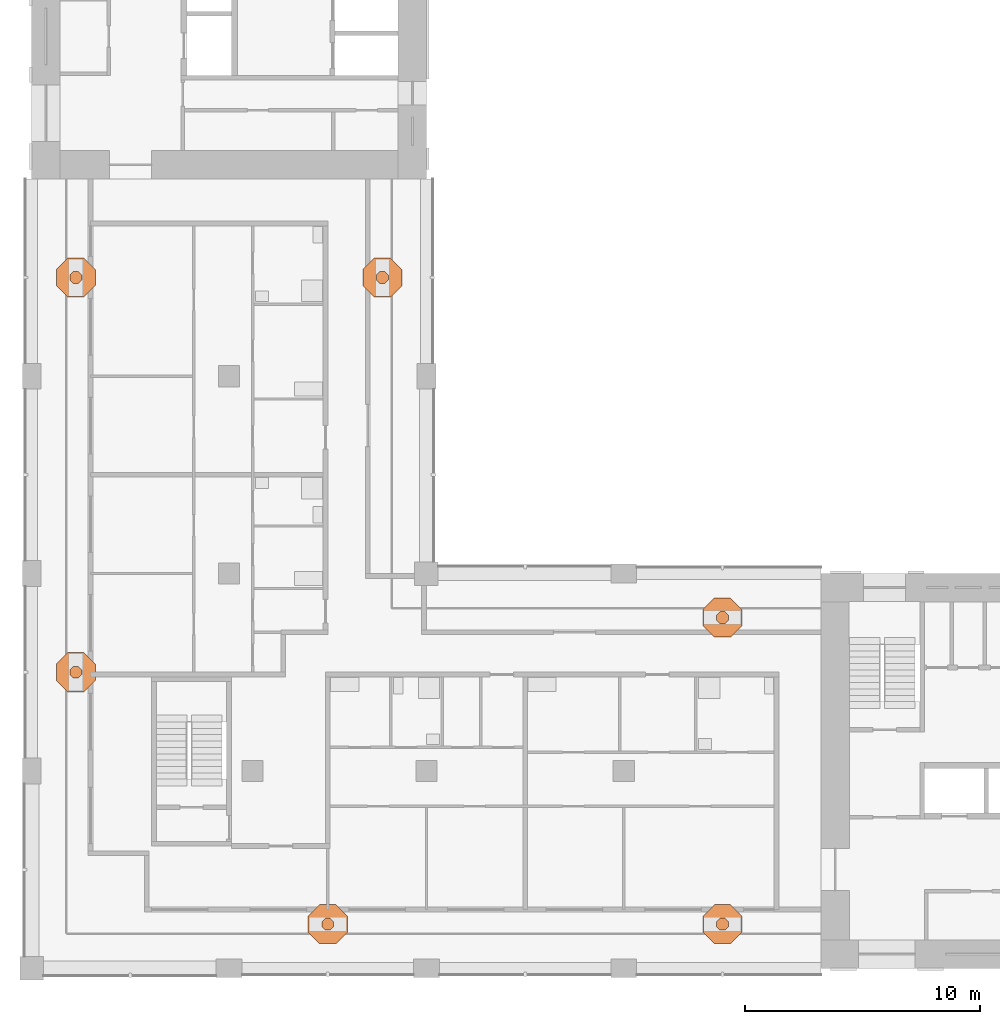
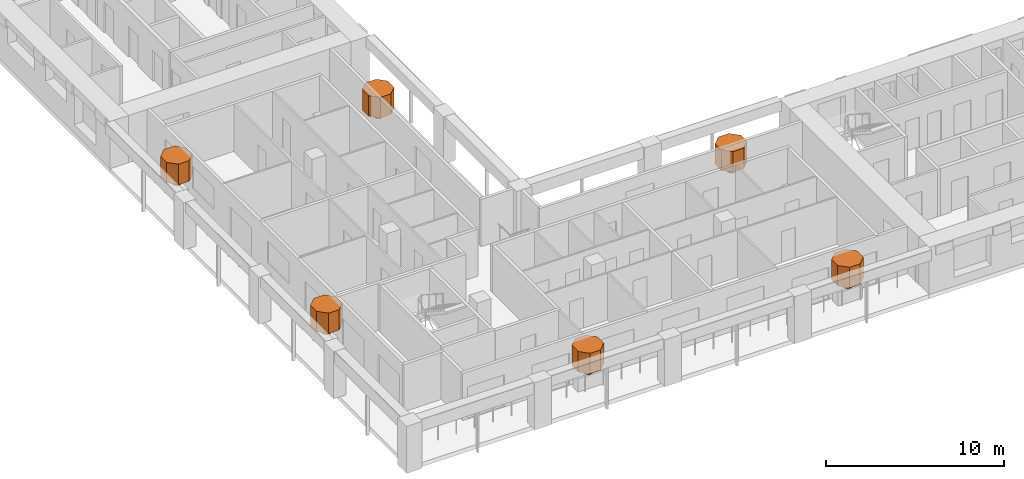
# One storey, part 12 of 12: 12 geographic elements.
"""IFC4 building model written with IfcOpenShell, lengths in metres."""

import ifcopenshell
import ifcopenshell.guid

model = None  # the IFC model being written
_history = None  # IfcOwnerHistory: only IFC2X3 demands one
_inside = {}  # id of a spatial element -> (the spatial element, [elements in it])
_under = {}  # id of a project, library or spatial element -> (it, [spatial elements below it])
_declared = {}  # id of a project -> (the project, [libraries it declares])
_typed = {}  # id of a type object -> (the type object, [elements of that type])
_made_of = {}  # id of a material, layer set ... -> (it, [elements and type objects made of it])


def new_model(schema):
    """Start an empty IFC model of exactly this schema.

    Asked for "IFC4X3", IfcOpenShell would pick the latest addendum, in which some entities
    have other attributes; the version numbers below select the first issue.
    IFC2X3 requires an IfcOwnerHistory on every rooted entity: one is made here for all.
    """
    global model, _history
    if schema == "IFC4X3":
        model = ifcopenshell.file(schema_version=(4, 3, 0, 0))
    else:
        model = ifcopenshell.file(schema=schema)
    _inside.clear()
    _under.clear()
    _declared.clear()
    _typed.clear()
    _made_of.clear()
    _history = None
    if model.schema == "IFC2X3":
        org = make("IfcOrganization", Name="unknown")
        user = make(
            "IfcPersonAndOrganization",
            ThePerson=make("IfcPerson", FamilyName="unknown"),
            TheOrganization=org,
        )
        app = make(
            "IfcApplication",
            ApplicationDeveloper=org,
            Version="unknown",
            ApplicationFullName="unknown",
            ApplicationIdentifier="unknown",
        )
        _history = make(
            "IfcOwnerHistory",
            OwningUser=user,
            OwningApplication=app,
            ChangeAction="ADDED",
            CreationDate=0,
        )
    return model


def make(cls, **values):
    """One entity of the class cls with the attributes given. An attribute that is None is left unset."""
    return model.create_entity(
        cls, **{name: value for name, value in values.items() if value is not None}
    )


def rooted(cls, **values):
    """An entity with a GlobalId (a new one), such as an element, a storey or a relation."""
    return make(cls, GlobalId=ifcopenshell.guid.new(), OwnerHistory=_history, **values)


def si_unit(unit_type, name, prefix=None):
    """IfcSIUnit, for example si_unit("LENGTHUNIT", "METRE", prefix="MILLI")."""
    return make("IfcSIUnit", UnitType=unit_type, Prefix=prefix, Name=name)


def assignment(units):
    """IfcUnitAssignment: the units of a project."""
    return None if units is None else make("IfcUnitAssignment", Units=units)


def point(xyz):
    """IfcCartesianPoint."""
    return None if xyz is None else make("IfcCartesianPoint", Coordinates=xyz)


def direction(xyz):
    """IfcDirection."""
    return None if xyz is None else make("IfcDirection", DirectionRatios=xyz)


def frame(location, z_axis=None, x_axis=None):
    """IfcAxis2Placement3D, a coordinate frame: its origin and axes. An axis left out is left unset."""
    return make(
        "IfcAxis2Placement3D",
        Location=point(location),
        Axis=direction(z_axis),
        RefDirection=direction(x_axis),
    )


def origin():
    """The frame at (0, 0, 0) with its axes left unset."""
    return frame((0.0, 0.0, 0.0))


def place(relative_to, where):
    """IfcLocalPlacement: puts the frame where relative to a parent placement (None: the world)."""
    return make(
        "IfcLocalPlacement", PlacementRelTo=relative_to, RelativePlacement=where
    )


def context(
    kind, dimensions, precision=None, world=None, true_north=None, identifier=None
):
    """IfcGeometricRepresentationContext, for example the 3D "Model" context."""
    return make(
        "IfcGeometricRepresentationContext",
        ContextIdentifier=identifier,
        ContextType=kind,
        CoordinateSpaceDimension=dimensions,
        Precision=precision,
        WorldCoordinateSystem=world,
        TrueNorth=true_north,
    )


def subcontext(parent, identifier, kind, view, scale=None):
    """IfcGeometricRepresentationSubContext, for example "Body" below "Model"."""
    return make(
        "IfcGeometricRepresentationSubContext",
        ContextIdentifier=identifier,
        ContextType=kind,
        ParentContext=parent,
        TargetScale=scale,
        TargetView=view,
    )


def project(units=None, contexts=None):
    """IfcProject with its units and contexts."""
    return rooted(
        "IfcProject",
        Name="project",
        RepresentationContexts=contexts,
        UnitsInContext=assignment(units),
    )


def spatial(cls, under=None, at=None, **own):
    """A site, building, storey or space (cls), placed at a placement, below another one or the project."""
    s = rooted(cls, ObjectPlacement=at, **own)
    if under is not None:
        _under.setdefault(under.id(), (under, []))[1].append(s)
    return s


def polyline(points):
    """IfcPolyline through the points."""
    return make("IfcPolyline", Points=[point(p) for p in points])


def outline(outer, holes=None, kind="AREA"):
    """IfcArbitraryClosedProfileDef: a profile drawn as a closed curve; with holes, ...WithVoids."""
    if holes is None:
        return make("IfcArbitraryClosedProfileDef", ProfileType=kind, OuterCurve=outer)
    return make(
        "IfcArbitraryProfileDefWithVoids",
        ProfileType=kind,
        OuterCurve=outer,
        InnerCurves=holes,
    )


def extrude(swept, where, along, depth):
    """IfcExtrudedAreaSolid: the profile swept, set in the frame where, extruded along a direction by depth."""
    return make(
        "IfcExtrudedAreaSolid",
        SweptArea=swept,
        Position=where,
        ExtrudedDirection=direction(along),
        Depth=depth,
    )


def shape(context_of_items, identifier, shape_type, items):
    """IfcShapeRepresentation: the items that make up one representation, for example the "Body"."""
    return make(
        "IfcShapeRepresentation",
        ContextOfItems=context_of_items,
        RepresentationIdentifier=identifier,
        RepresentationType=shape_type,
        Items=items,
    )


def material(Name=None, Category=None):
    """IfcMaterial."""
    return make("IfcMaterial", Name=Name, Category=Category)


def made_of(thing, what):
    """Note that an element or type object is made of a material, layer set ...; save() writes the relation."""
    if what is not None:
        _made_of.setdefault(what.id(), (what, []))[1].append(thing)
    return thing


def element(
    cls,
    number,
    at=None,
    inside=None,
    cuts=None,
    type_object=None,
    material=None,
    context=None,
    identifier="Body",
    shape_type=None,
    held_by="IfcProductDefinitionShape",
    body=None,
    shapes=None,
    **own,
):
    """One element of the class cls, such as IfcWall. Its Tag is "e" and its number.

    at: its placement. inside: the storey or other place that contains it. cuts: it is an
    opening in that element (IfcRelVoidsElement). A single representation is given by context,
    identifier, shape_type and body (its items); several are given by shapes. held_by: the class
    of the entity that holds the representations. save() writes the other relations.
    """
    e = rooted(cls, Tag="e%d" % number, ObjectPlacement=at, **own)
    if body is not None:
        shapes = [shape(context, identifier, shape_type, body)]
    if shapes is not None:
        e.Representation = make(held_by, Representations=shapes)
    if inside is not None:
        _inside.setdefault(inside.id(), (inside, []))[1].append(e)
    if cuts is not None:
        rooted(
            "IfcRelVoidsElement", RelatingBuildingElement=cuts, RelatedOpeningElement=e
        )
    if type_object is not None:
        _typed.setdefault(type_object.id(), (type_object, []))[1].append(e)
    return made_of(e, material)


def aggregate(whole, parts):
    """IfcRelAggregates: a whole, such as a stair, and the parts it consists of."""
    return rooted("IfcRelAggregates", RelatingObject=whole, RelatedObjects=parts)


def save(model, path):
    """Write the relations noted so far, then the file.

    IfcRelAggregates (storeys below a building ...), IfcRelContainedInSpatialStructure (elements
    in a storey), IfcRelDefinesByType, IfcRelAssociatesMaterial and IfcRelDeclares: one each for
    every whole, place, type object, material and project.
    """
    for whole, parts in _under.values():
        aggregate(whole, parts)
    for where, things in _inside.values():
        rooted(
            "IfcRelContainedInSpatialStructure",
            RelatedElements=things,
            RelatingStructure=where,
        )
    for kind, things in _typed.values():
        rooted("IfcRelDefinesByType", RelatedObjects=things, RelatingType=kind)
    for what, things in _made_of.values():
        rooted("IfcRelAssociatesMaterial", RelatedObjects=things, RelatingMaterial=what)
    for by, libraries in _declared.values():
        rooted("IfcRelDeclares", RelatingContext=by, RelatedDefinitions=libraries)
    model.write(path)


model = new_model("IFC4")

# Units and contexts
model_context = context("Model", 3, precision=1e-05, world=origin(), true_north=direction((0.0, 1.0)))
body_context = subcontext(model_context, "Body", "Model", "MODEL_VIEW")
ifc_project = project(units=[si_unit("LENGTHUNIT", "METRE"), si_unit("AREAUNIT", "SQUARE_METRE"), si_unit("VOLUMEUNIT", "CUBIC_METRE"), si_unit("PLANEANGLEUNIT", "RADIAN"), si_unit("MASSUNIT", "GRAM", prefix="KILO")], contexts=[model_context])

# Site, building, storey
site_placement = place(None, origin())
site = spatial("IfcSite", under=ifc_project, at=site_placement, CompositionType="ELEMENT")
building_placement = place(site_placement, origin())
building = spatial("IfcBuilding", under=site, at=building_placement, Name="Vermilion Gate Residences", CompositionType="ELEMENT")
storey_placement = place(building_placement, frame((0.0, 0.0, 221.199951171875)))
storey = spatial("IfcBuildingStorey", under=building, at=storey_placement, Name="L57", CompositionType="ELEMENT", Elevation=221.199951171875)

# Geographic elements
ifc_material = material(Name="Foliage")
geographic_element_1_placement = place(storey_placement, frame((0.0, 0.0, 0.900146484375)))
element("IfcGeographicElement", 1, at=geographic_element_1_placement, inside=storey, material=ifc_material, Name="Tree (black pine)", ObjectType="TREE", PredefinedType="USERDEFINED", context=body_context, shape_type="SweptSolid", body=[
    extrude(outline(polyline([(21.254150390625, 10.380126953125), (21.105224609375, 10.529052734375), (20.894775390625, 10.529052734375), (20.745849609375, 10.380126953125), (20.745849609375, 10.169921875), (20.894775390625, 10.02099609375), (21.105224609375, 10.02099609375), (21.254150390625, 10.169921875), (21.254150390625, 10.380126953125)])), origin(), (0.0, 0.0, 1.0), 0.52001953125),
])
geographic_element_2_placement = place(storey_placement, frame((0.0, 0.0, 1.420166015625)))
element("IfcGeographicElement", 2, at=geographic_element_2_placement, inside=storey, material=ifc_material, Name="Tree crown (black pine)", ObjectType="TREE", PredefinedType="USERDEFINED", context=body_context, shape_type="SweptSolid", body=[
    extrude(outline(polyline([(21.83154296875, 10.619384765625), (21.344482421875, 11.1064453125), (20.655517578125, 11.1064453125), (20.16845703125, 10.619384765625), (20.16845703125, 9.9306640625), (20.655517578125, 9.443603515625), (21.344482421875, 9.443603515625), (21.83154296875, 9.9306640625), (21.83154296875, 10.619384765625)])), origin(), (0.0, 0.0, 1.0), 1.39990234375),
])
geographic_element_3_placement = place(storey_placement, frame((0.0, 0.0, 0.900146484375)))
element("IfcGeographicElement", 3, at=geographic_element_3_placement, inside=storey, material=ifc_material, Name="Tree (maple)", ObjectType="TREE", PredefinedType="USERDEFINED", context=body_context, shape_type="SweptSolid", body=[
    extrude(outline(polyline([(38.05419921875, 10.380126953125), (37.9052734375, 10.529052734375), (37.69482421875, 10.529052734375), (37.5458984375, 10.380126953125), (37.5458984375, 10.169921875), (37.69482421875, 10.02099609375), (37.9052734375, 10.02099609375), (38.05419921875, 10.169921875), (38.05419921875, 10.380126953125)])), origin(), (0.0, 0.0, 1.0), 0.52001953125),
])
geographic_element_4_placement = place(storey_placement, frame((0.0, 0.0, 1.420166015625)))
element("IfcGeographicElement", 4, at=geographic_element_4_placement, inside=storey, material=ifc_material, Name="Tree crown (maple)", ObjectType="TREE", PredefinedType="USERDEFINED", context=body_context, shape_type="SweptSolid", body=[
    extrude(outline(polyline([(38.631591796875, 10.619384765625), (38.144287109375, 11.1064453125), (37.45556640625, 11.1064453125), (36.968505859375, 10.619384765625), (36.968505859375, 9.9306640625), (37.45556640625, 9.443603515625), (38.144287109375, 9.443603515625), (38.631591796875, 9.9306640625), (38.631591796875, 10.619384765625)])), origin(), (0.0, 0.0, 1.0), 1.39990234375),
])
geographic_element_5_placement = place(storey_placement, frame((0.0, 0.0, 0.900146484375)))
element("IfcGeographicElement", 5, at=geographic_element_5_placement, inside=storey, material=ifc_material, Name="Tree (maple)", ObjectType="TREE", PredefinedType="USERDEFINED", context=body_context, shape_type="SweptSolid", body=[
    extrude(outline(polyline([(38.05419921875, 23.43017578125), (37.9052734375, 23.5791015625), (37.69482421875, 23.5791015625), (37.5458984375, 23.43017578125), (37.5458984375, 23.2197265625), (37.69482421875, 23.07080078125), (37.9052734375, 23.07080078125), (38.05419921875, 23.2197265625), (38.05419921875, 23.43017578125)])), origin(), (0.0, 0.0, 1.0), 0.52001953125),
])
geographic_element_6_placement = place(storey_placement, frame((0.0, 0.0, 1.420166015625)))
element("IfcGeographicElement", 6, at=geographic_element_6_placement, inside=storey, material=ifc_material, Name="Tree crown (maple)", ObjectType="TREE", PredefinedType="USERDEFINED", context=body_context, shape_type="SweptSolid", body=[
    extrude(outline(polyline([(38.631591796875, 23.66943359375), (38.144287109375, 24.156494140625), (37.45556640625, 24.156494140625), (36.968505859375, 23.66943359375), (36.968505859375, 22.980712890625), (37.45556640625, 22.493408203125), (38.144287109375, 22.493408203125), (38.631591796875, 22.980712890625), (38.631591796875, 23.66943359375)])), origin(), (0.0, 0.0, 1.0), 1.39990234375),
])
geographic_element_7_placement = place(storey_placement, frame((0.0, 0.0, 0.900146484375)))
element("IfcGeographicElement", 7, at=geographic_element_7_placement, inside=storey, material=ifc_material, Name="Tree (maple)", ObjectType="TREE", PredefinedType="USERDEFINED", context=body_context, shape_type="SweptSolid", body=[
    extrude(outline(polyline([(23.5791015625, 37.9052734375), (23.43017578125, 38.05419921875), (23.2197265625, 38.05419921875), (23.07080078125, 37.9052734375), (23.07080078125, 37.69482421875), (23.2197265625, 37.5458984375), (23.43017578125, 37.5458984375), (23.5791015625, 37.69482421875), (23.5791015625, 37.9052734375)])), origin(), (0.0, 0.0, 1.0), 0.52001953125),
])
geographic_element_8_placement = place(storey_placement, frame((0.0, 0.0, 1.420166015625)))
element("IfcGeographicElement", 8, at=geographic_element_8_placement, inside=storey, material=ifc_material, Name="Tree crown (maple)", ObjectType="TREE", PredefinedType="USERDEFINED", context=body_context, shape_type="SweptSolid", body=[
    extrude(outline(polyline([(24.156494140625, 38.144287109375), (23.66943359375, 38.631591796875), (22.980712890625, 38.631591796875), (22.493408203125, 38.144287109375), (22.493408203125, 37.45556640625), (22.980712890625, 36.968505859375), (23.66943359375, 36.968505859375), (24.156494140625, 37.45556640625), (24.156494140625, 38.144287109375)])), origin(), (0.0, 0.0, 1.0), 1.39990234375),
])
geographic_element_9_placement = place(storey_placement, frame((0.0, 0.0, 0.900146484375)))
element("IfcGeographicElement", 9, at=geographic_element_9_placement, inside=storey, material=ifc_material, Name="Tree (black pine)", ObjectType="TREE", PredefinedType="USERDEFINED", context=body_context, shape_type="SweptSolid", body=[
    extrude(outline(polyline([(10.529052734375, 21.105224609375), (10.380126953125, 21.254150390625), (10.169921875, 21.254150390625), (10.02099609375, 21.105224609375), (10.02099609375, 20.894775390625), (10.169921875, 20.745849609375), (10.380126953125, 20.745849609375), (10.529052734375, 20.894775390625), (10.529052734375, 21.105224609375)])), origin(), (0.0, 0.0, 1.0), 0.52001953125),
])
geographic_element_10_placement = place(storey_placement, frame((0.0, 0.0, 1.420166015625)))
element("IfcGeographicElement", 10, at=geographic_element_10_placement, inside=storey, material=ifc_material, Name="Tree crown (black pine)", ObjectType="TREE", PredefinedType="USERDEFINED", context=body_context, shape_type="SweptSolid", body=[
    extrude(outline(polyline([(11.1064453125, 21.344482421875), (10.619384765625, 21.83154296875), (9.9306640625, 21.83154296875), (9.443603515625, 21.344482421875), (9.443603515625, 20.655517578125), (9.9306640625, 20.16845703125), (10.619384765625, 20.16845703125), (11.1064453125, 20.655517578125), (11.1064453125, 21.344482421875)])), origin(), (0.0, 0.0, 1.0), 1.39990234375),
])
geographic_element_11_placement = place(storey_placement, frame((0.0, 0.0, 0.900146484375)))
element("IfcGeographicElement", 11, at=geographic_element_11_placement, inside=storey, material=ifc_material, Name="Tree (maple)", ObjectType="TREE", PredefinedType="USERDEFINED", context=body_context, shape_type="SweptSolid", body=[
    extrude(outline(polyline([(10.529052734375, 37.9052734375), (10.380126953125, 38.05419921875), (10.169921875, 38.05419921875), (10.02099609375, 37.9052734375), (10.02099609375, 37.69482421875), (10.169921875, 37.5458984375), (10.380126953125, 37.5458984375), (10.529052734375, 37.69482421875), (10.529052734375, 37.9052734375)])), origin(), (0.0, 0.0, 1.0), 0.52001953125),
])
geographic_element_12_placement = place(storey_placement, frame((0.0, 0.0, 1.420166015625)))
element("IfcGeographicElement", 12, at=geographic_element_12_placement, inside=storey, material=ifc_material, Name="Tree crown (maple)", ObjectType="TREE", PredefinedType="USERDEFINED", context=body_context, shape_type="SweptSolid", body=[
    extrude(outline(polyline([(11.1064453125, 38.144287109375), (10.619384765625, 38.631591796875), (9.9306640625, 38.631591796875), (9.443603515625, 38.144287109375), (9.443603515625, 37.45556640625), (9.9306640625, 36.968505859375), (10.619384765625, 36.968505859375), (11.1064453125, 37.45556640625), (11.1064453125, 38.144287109375)])), origin(), (0.0, 0.0, 1.0), 1.39990234375),
])

save(model, "model.ifc")
